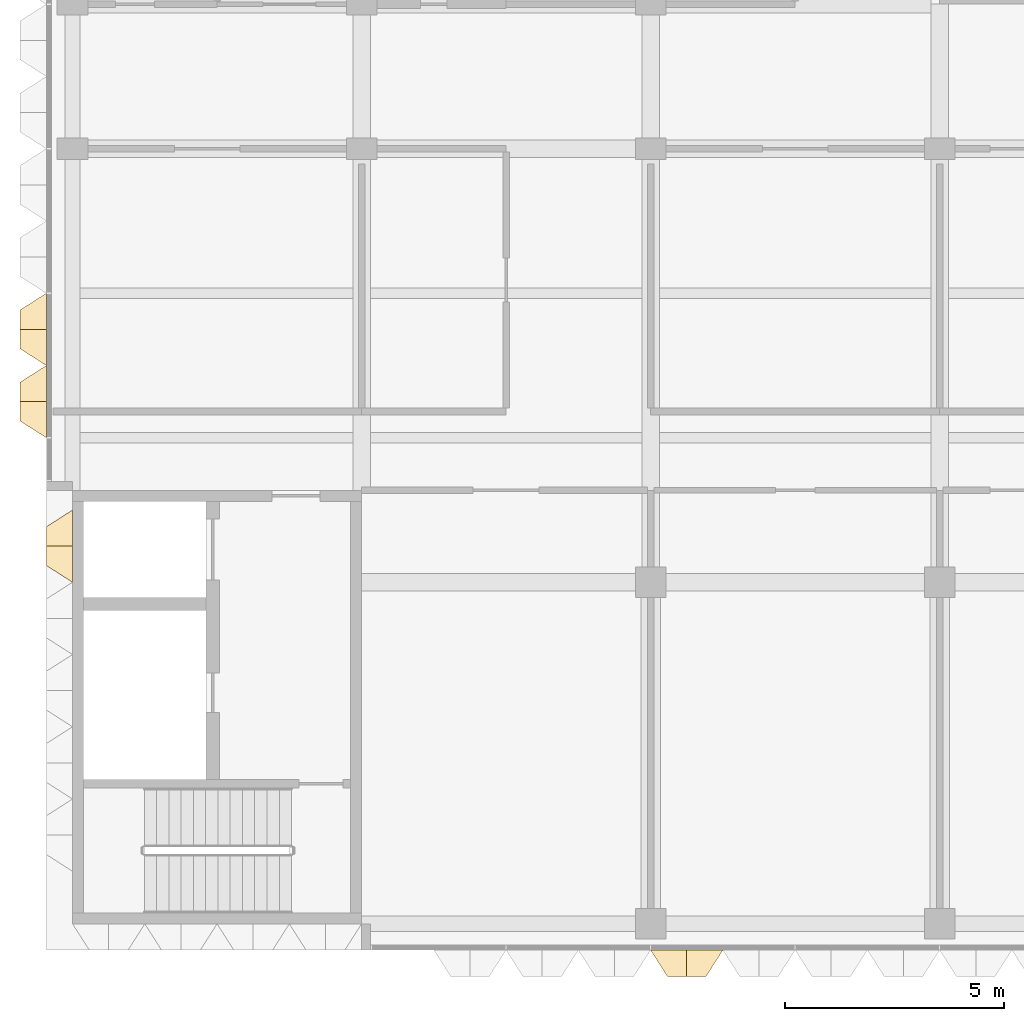
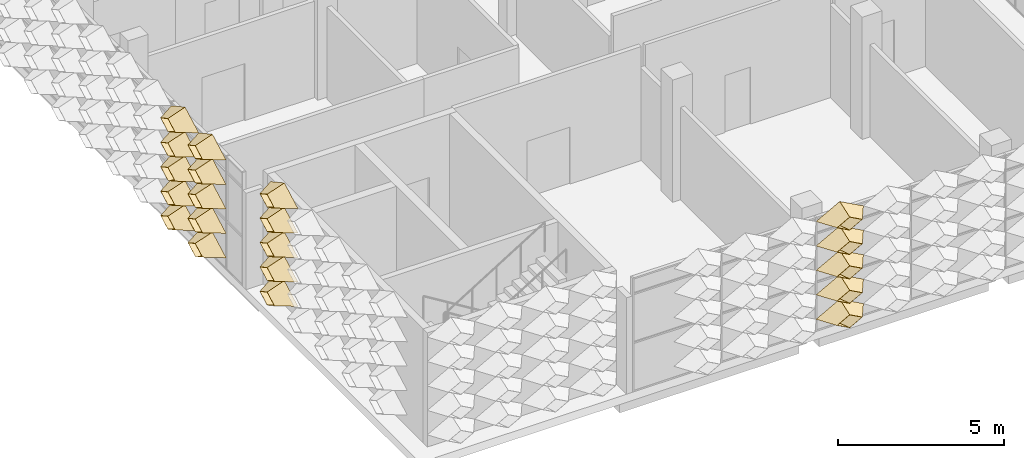
# One storey, part 14 of 28: 20 coverings.
"""IFC4 building model written with IfcOpenShell, lengths in metres."""

from ifc_helpers import new_model, entity, si_unit, direction, frame, origin, place, context, subcontext, project, spatial, material, layer, layer_set, type_object, element, save


model = new_model("IFC4")

# Units and contexts
model_context = context("Model", 3, precision=1e-05, world=origin(), true_north=direction((0.0, 1.0)))
body_context = subcontext(model_context, "Body", "Model", "MODEL_VIEW")
ifc_project = project(units=[si_unit("LENGTHUNIT", "METRE"), si_unit("AREAUNIT", "SQUARE_METRE"), si_unit("VOLUMEUNIT", "CUBIC_METRE"), si_unit("PLANEANGLEUNIT", "RADIAN"), si_unit("MASSUNIT", "GRAM", prefix="KILO")], contexts=[model_context])

# Site, building, storey
site_placement = place(None, origin())
site = spatial("IfcSite", under=ifc_project, at=site_placement, CompositionType="ELEMENT")
building_placement = place(site_placement, origin())
building = spatial("IfcBuilding", under=site, at=building_placement, Name="Lantern Court Research Institute", CompositionType="ELEMENT")
storey_placement = place(building_placement, frame((0.0, 0.0, 36.89990234375)))
storey = spatial("IfcBuildingStorey", under=building, at=storey_placement, Name="L08", CompositionType="ELEMENT", Elevation=36.89990234375)

# Coverings
ifc_material = material(Name="Anodised aluminium", Category="aluminium")
ifc_layer = layer(ifc_material, 0.01611328125)
ifc_layer_set = layer_set([ifc_layer], Name="Anodised aluminium")
covering_type = type_object("IfcCoveringType", Name="Fin cassette 1650 x 900 x 600 aluminium", PredefinedType="CLADDING", material=ifc_layer_set)
covering_1_placement = place(storey_placement, frame((66.824951171875, -8.39990234375, 0.4501953125), z_axis=(0.0, -1.0, 0.0), x_axis=(1.0, 0.0, 0.0)))
cartesian_point_1 = entity("IfcCartesianPoint", [0.824951171875, 0.0])
cartesian_point_2 = entity("IfcCartesianPoint", [0.79150390625, 0.0])
cartesian_point_3 = entity("IfcCartesianPoint", [0.44189453125, 0.0])
cartesian_point_4 = entity("IfcCartesianPoint", [0.43359375, 0.0])
element("IfcCovering", 1, at=covering_1_placement, inside=storey, type_object=covering_type, Name="Fin cassette V5S-L08 1.41", PredefinedType="CLADDING", context=body_context, shape_type="SweptSolid", body=[
    entity("IfcExtrudedAreaSolidTapered", entity("IfcArbitraryProfileDefWithVoids", "AREA", None, entity("IfcPolyline", [cartesian_point_1, entity("IfcCartesianPoint", [0.0, 0.449951171875]), entity("IfcCartesianPoint", [-0.824951171875, 0.0]), entity("IfcCartesianPoint", [0.0, -0.449951171875]), cartesian_point_1]), [entity("IfcPolyline", [cartesian_point_2, entity("IfcCartesianPoint", [0.0, 0.431884765625]), entity("IfcCartesianPoint", [-0.79150390625, 0.0]), entity("IfcCartesianPoint", [0.0, -0.431884765625]), cartesian_point_2])]), entity("IfcAxis2Placement3D", entity("IfcCartesianPoint", [0.0, 0.0, 0.0])), entity("IfcDirection", [0.0, 0.0, 1.0]), 0.60009765625, entity("IfcArbitraryProfileDefWithVoids", "AREA", None, entity("IfcPolyline", [cartesian_point_3, entity("IfcCartesianPoint", [0.0, 0.240966796875]), entity("IfcCartesianPoint", [-0.44189453125, 0.0]), entity("IfcCartesianPoint", [0.0, -0.240966796875]), cartesian_point_3]), [entity("IfcPolyline", [cartesian_point_4, entity("IfcCartesianPoint", [0.0, 0.236572265625]), entity("IfcCartesianPoint", [-0.43359375, 0.0]), entity("IfcCartesianPoint", [0.0, -0.236572265625]), cartesian_point_4])])),
])
covering_2_placement = place(storey_placement, frame((66.824951171875, -8.39990234375, 1.35009765625), z_axis=(0.0, -1.0, 0.0), x_axis=(1.0, 0.0, 0.0)))
cartesian_point_5 = entity("IfcCartesianPoint", [0.824951171875, 0.0])
cartesian_point_6 = entity("IfcCartesianPoint", [0.79150390625, 0.0])
cartesian_point_7 = entity("IfcCartesianPoint", [0.44189453125, 0.0])
cartesian_point_8 = entity("IfcCartesianPoint", [0.43359375, 0.0])
element("IfcCovering", 2, at=covering_2_placement, inside=storey, type_object=covering_type, Name="Fin cassette V5S-L08 2.41", PredefinedType="CLADDING", context=body_context, shape_type="SweptSolid", body=[
    entity("IfcExtrudedAreaSolidTapered", entity("IfcArbitraryProfileDefWithVoids", "AREA", None, entity("IfcPolyline", [cartesian_point_5, entity("IfcCartesianPoint", [0.0, 0.449951171875]), entity("IfcCartesianPoint", [-0.824951171875, 0.0]), entity("IfcCartesianPoint", [0.0, -0.449951171875]), cartesian_point_5]), [entity("IfcPolyline", [cartesian_point_6, entity("IfcCartesianPoint", [0.0, 0.431884765625]), entity("IfcCartesianPoint", [-0.79150390625, 0.0]), entity("IfcCartesianPoint", [0.0, -0.431884765625]), cartesian_point_6])]), entity("IfcAxis2Placement3D", entity("IfcCartesianPoint", [0.0, 0.0, 0.0])), entity("IfcDirection", [0.0, 0.0, 1.0]), 0.60009765625, entity("IfcArbitraryProfileDefWithVoids", "AREA", None, entity("IfcPolyline", [cartesian_point_7, entity("IfcCartesianPoint", [0.0, 0.240966796875]), entity("IfcCartesianPoint", [-0.44189453125, 0.0]), entity("IfcCartesianPoint", [0.0, -0.240966796875]), cartesian_point_7]), [entity("IfcPolyline", [cartesian_point_8, entity("IfcCartesianPoint", [0.0, 0.236572265625]), entity("IfcCartesianPoint", [-0.43359375, 0.0]), entity("IfcCartesianPoint", [0.0, -0.236572265625]), cartesian_point_8])])),
])
covering_3_placement = place(storey_placement, frame((66.824951171875, -8.39990234375, 2.25), z_axis=(0.0, -1.0, 0.0), x_axis=(1.0, 0.0, 0.0)))
cartesian_point_9 = entity("IfcCartesianPoint", [0.824951171875, 0.0])
cartesian_point_10 = entity("IfcCartesianPoint", [0.79150390625, 0.0])
cartesian_point_11 = entity("IfcCartesianPoint", [0.44189453125, 0.0])
cartesian_point_12 = entity("IfcCartesianPoint", [0.43359375, 0.0])
element("IfcCovering", 3, at=covering_3_placement, inside=storey, type_object=covering_type, Name="Fin cassette V5S-L08 3.41", PredefinedType="CLADDING", context=body_context, shape_type="SweptSolid", body=[
    entity("IfcExtrudedAreaSolidTapered", entity("IfcArbitraryProfileDefWithVoids", "AREA", None, entity("IfcPolyline", [cartesian_point_9, entity("IfcCartesianPoint", [0.0, 0.449951171875]), entity("IfcCartesianPoint", [-0.824951171875, 0.0]), entity("IfcCartesianPoint", [0.0, -0.449951171875]), cartesian_point_9]), [entity("IfcPolyline", [cartesian_point_10, entity("IfcCartesianPoint", [0.0, 0.431884765625]), entity("IfcCartesianPoint", [-0.79150390625, 0.0]), entity("IfcCartesianPoint", [0.0, -0.431884765625]), cartesian_point_10])]), entity("IfcAxis2Placement3D", entity("IfcCartesianPoint", [0.0, 0.0, 0.0])), entity("IfcDirection", [0.0, 0.0, 1.0]), 0.60009765625, entity("IfcArbitraryProfileDefWithVoids", "AREA", None, entity("IfcPolyline", [cartesian_point_11, entity("IfcCartesianPoint", [0.0, 0.240966796875]), entity("IfcCartesianPoint", [-0.44189453125, 0.0]), entity("IfcCartesianPoint", [0.0, -0.240966796875]), cartesian_point_11]), [entity("IfcPolyline", [cartesian_point_12, entity("IfcCartesianPoint", [0.0, 0.236572265625]), entity("IfcCartesianPoint", [-0.43359375, 0.0]), entity("IfcCartesianPoint", [0.0, -0.236572265625]), cartesian_point_12])])),
])
covering_4_placement = place(storey_placement, frame((66.824951171875, -8.39990234375, 3.150146484375), z_axis=(0.0, -1.0, 0.0), x_axis=(1.0, 0.0, 0.0)))
cartesian_point_13 = entity("IfcCartesianPoint", [0.824951171875, 0.0])
cartesian_point_14 = entity("IfcCartesianPoint", [0.79150390625, 0.0])
cartesian_point_15 = entity("IfcCartesianPoint", [0.44189453125, 0.0])
cartesian_point_16 = entity("IfcCartesianPoint", [0.43359375, 0.0])
element("IfcCovering", 4, at=covering_4_placement, inside=storey, type_object=covering_type, Name="Fin cassette V5S-L08 4.41", PredefinedType="CLADDING", context=body_context, shape_type="SweptSolid", body=[
    entity("IfcExtrudedAreaSolidTapered", entity("IfcArbitraryProfileDefWithVoids", "AREA", None, entity("IfcPolyline", [cartesian_point_13, entity("IfcCartesianPoint", [0.0, 0.449951171875]), entity("IfcCartesianPoint", [-0.824951171875, 0.0]), entity("IfcCartesianPoint", [0.0, -0.449951171875]), cartesian_point_13]), [entity("IfcPolyline", [cartesian_point_14, entity("IfcCartesianPoint", [0.0, 0.431884765625]), entity("IfcCartesianPoint", [-0.79150390625, 0.0]), entity("IfcCartesianPoint", [0.0, -0.431884765625]), cartesian_point_14])]), entity("IfcAxis2Placement3D", entity("IfcCartesianPoint", [0.0, 0.0, 0.0])), entity("IfcDirection", [0.0, 0.0, 1.0]), 0.60009765625, entity("IfcArbitraryProfileDefWithVoids", "AREA", None, entity("IfcPolyline", [cartesian_point_15, entity("IfcCartesianPoint", [0.0, 0.240966796875]), entity("IfcCartesianPoint", [-0.44189453125, 0.0]), entity("IfcCartesianPoint", [0.0, -0.240966796875]), cartesian_point_15]), [entity("IfcPolyline", [cartesian_point_16, entity("IfcCartesianPoint", [0.0, 0.236572265625]), entity("IfcCartesianPoint", [-0.43359375, 0.0]), entity("IfcCartesianPoint", [0.0, -0.236572265625]), cartesian_point_16])])),
])
covering_5_placement = place(storey_placement, frame((66.824951171875, -8.39990234375, 4.050048828125), z_axis=(0.0, -1.0, 0.0), x_axis=(1.0, 0.0, 0.0)))
cartesian_point_17 = entity("IfcCartesianPoint", [0.824951171875, 0.0])
cartesian_point_18 = entity("IfcCartesianPoint", [0.79150390625, 0.0])
cartesian_point_19 = entity("IfcCartesianPoint", [0.44189453125, 0.0])
cartesian_point_20 = entity("IfcCartesianPoint", [0.43359375, 0.0])
element("IfcCovering", 5, at=covering_5_placement, inside=storey, type_object=covering_type, Name="Fin cassette V5S-L08 5.41", PredefinedType="CLADDING", context=body_context, shape_type="SweptSolid", body=[
    entity("IfcExtrudedAreaSolidTapered", entity("IfcArbitraryProfileDefWithVoids", "AREA", None, entity("IfcPolyline", [cartesian_point_17, entity("IfcCartesianPoint", [0.0, 0.449951171875]), entity("IfcCartesianPoint", [-0.824951171875, 0.0]), entity("IfcCartesianPoint", [0.0, -0.449951171875]), cartesian_point_17]), [entity("IfcPolyline", [cartesian_point_18, entity("IfcCartesianPoint", [0.0, 0.431884765625]), entity("IfcCartesianPoint", [-0.79150390625, 0.0]), entity("IfcCartesianPoint", [0.0, -0.431884765625]), cartesian_point_18])]), entity("IfcAxis2Placement3D", entity("IfcCartesianPoint", [0.0, 0.0, 0.0])), entity("IfcDirection", [0.0, 0.0, 1.0]), 0.60009765625, entity("IfcArbitraryProfileDefWithVoids", "AREA", None, entity("IfcPolyline", [cartesian_point_19, entity("IfcCartesianPoint", [0.0, 0.240966796875]), entity("IfcCartesianPoint", [-0.44189453125, 0.0]), entity("IfcCartesianPoint", [0.0, -0.240966796875]), cartesian_point_19]), [entity("IfcPolyline", [cartesian_point_20, entity("IfcCartesianPoint", [0.0, 0.236572265625]), entity("IfcCartesianPoint", [-0.43359375, 0.0]), entity("IfcCartesianPoint", [0.0, -0.236572265625]), cartesian_point_20])])),
])
covering_6_placement = place(storey_placement, frame((52.800048828125, 0.824951171875, 0.4501953125), z_axis=(-1.0, 0.0, 0.0), x_axis=(0.0, -1.0, 0.0)))
cartesian_point_21 = entity("IfcCartesianPoint", [0.824951171875, 0.0])
cartesian_point_22 = entity("IfcCartesianPoint", [0.79150390625, 0.0])
cartesian_point_23 = entity("IfcCartesianPoint", [0.44189453125, 0.0])
cartesian_point_24 = entity("IfcCartesianPoint", [0.43359375, 0.0])
element("IfcCovering", 6, at=covering_6_placement, inside=storey, type_object=covering_type, Name="Fin cassette V5W-L08 1.1", PredefinedType="CLADDING", context=body_context, shape_type="SweptSolid", body=[
    entity("IfcExtrudedAreaSolidTapered", entity("IfcArbitraryProfileDefWithVoids", "AREA", None, entity("IfcPolyline", [cartesian_point_21, entity("IfcCartesianPoint", [0.0, 0.449951171875]), entity("IfcCartesianPoint", [-0.824951171875, 0.0]), entity("IfcCartesianPoint", [0.0, -0.449951171875]), cartesian_point_21]), [entity("IfcPolyline", [cartesian_point_22, entity("IfcCartesianPoint", [0.0, 0.431884765625]), entity("IfcCartesianPoint", [-0.79150390625, 0.0]), entity("IfcCartesianPoint", [0.0, -0.431884765625]), cartesian_point_22])]), entity("IfcAxis2Placement3D", entity("IfcCartesianPoint", [0.0, 0.0, 0.0])), entity("IfcDirection", [0.0, 0.0, 1.0]), 0.60009765625, entity("IfcArbitraryProfileDefWithVoids", "AREA", None, entity("IfcPolyline", [cartesian_point_23, entity("IfcCartesianPoint", [0.0, 0.240966796875]), entity("IfcCartesianPoint", [-0.44189453125, 0.0]), entity("IfcCartesianPoint", [0.0, -0.240966796875]), cartesian_point_23]), [entity("IfcPolyline", [cartesian_point_24, entity("IfcCartesianPoint", [0.0, 0.236572265625]), entity("IfcCartesianPoint", [-0.43359375, 0.0]), entity("IfcCartesianPoint", [0.0, -0.236572265625]), cartesian_point_24])])),
])
covering_7_placement = place(storey_placement, frame((52.800048828125, 0.824951171875, 1.35009765625), z_axis=(-1.0, 0.0, 0.0), x_axis=(0.0, -1.0, 0.0)))
cartesian_point_25 = entity("IfcCartesianPoint", [0.824951171875, 0.0])
cartesian_point_26 = entity("IfcCartesianPoint", [0.79150390625, 0.0])
cartesian_point_27 = entity("IfcCartesianPoint", [0.44189453125, 0.0])
cartesian_point_28 = entity("IfcCartesianPoint", [0.43359375, 0.0])
element("IfcCovering", 7, at=covering_7_placement, inside=storey, type_object=covering_type, Name="Fin cassette V5W-L08 2.1", PredefinedType="CLADDING", context=body_context, shape_type="SweptSolid", body=[
    entity("IfcExtrudedAreaSolidTapered", entity("IfcArbitraryProfileDefWithVoids", "AREA", None, entity("IfcPolyline", [cartesian_point_25, entity("IfcCartesianPoint", [0.0, 0.449951171875]), entity("IfcCartesianPoint", [-0.824951171875, 0.0]), entity("IfcCartesianPoint", [0.0, -0.449951171875]), cartesian_point_25]), [entity("IfcPolyline", [cartesian_point_26, entity("IfcCartesianPoint", [0.0, 0.431884765625]), entity("IfcCartesianPoint", [-0.79150390625, 0.0]), entity("IfcCartesianPoint", [0.0, -0.431884765625]), cartesian_point_26])]), entity("IfcAxis2Placement3D", entity("IfcCartesianPoint", [0.0, 0.0, 0.0])), entity("IfcDirection", [0.0, 0.0, 1.0]), 0.60009765625, entity("IfcArbitraryProfileDefWithVoids", "AREA", None, entity("IfcPolyline", [cartesian_point_27, entity("IfcCartesianPoint", [0.0, 0.240966796875]), entity("IfcCartesianPoint", [-0.44189453125, 0.0]), entity("IfcCartesianPoint", [0.0, -0.240966796875]), cartesian_point_27]), [entity("IfcPolyline", [cartesian_point_28, entity("IfcCartesianPoint", [0.0, 0.236572265625]), entity("IfcCartesianPoint", [-0.43359375, 0.0]), entity("IfcCartesianPoint", [0.0, -0.236572265625]), cartesian_point_28])])),
])
covering_8_placement = place(storey_placement, frame((52.800048828125, 0.824951171875, 2.25), z_axis=(-1.0, 0.0, 0.0), x_axis=(0.0, -1.0, 0.0)))
cartesian_point_29 = entity("IfcCartesianPoint", [0.824951171875, 0.0])
cartesian_point_30 = entity("IfcCartesianPoint", [0.79150390625, 0.0])
cartesian_point_31 = entity("IfcCartesianPoint", [0.44189453125, 0.0])
cartesian_point_32 = entity("IfcCartesianPoint", [0.43359375, 0.0])
element("IfcCovering", 8, at=covering_8_placement, inside=storey, type_object=covering_type, Name="Fin cassette V5W-L08 3.1", PredefinedType="CLADDING", context=body_context, shape_type="SweptSolid", body=[
    entity("IfcExtrudedAreaSolidTapered", entity("IfcArbitraryProfileDefWithVoids", "AREA", None, entity("IfcPolyline", [cartesian_point_29, entity("IfcCartesianPoint", [0.0, 0.449951171875]), entity("IfcCartesianPoint", [-0.824951171875, 0.0]), entity("IfcCartesianPoint", [0.0, -0.449951171875]), cartesian_point_29]), [entity("IfcPolyline", [cartesian_point_30, entity("IfcCartesianPoint", [0.0, 0.431884765625]), entity("IfcCartesianPoint", [-0.79150390625, 0.0]), entity("IfcCartesianPoint", [0.0, -0.431884765625]), cartesian_point_30])]), entity("IfcAxis2Placement3D", entity("IfcCartesianPoint", [0.0, 0.0, 0.0])), entity("IfcDirection", [0.0, 0.0, 1.0]), 0.60009765625, entity("IfcArbitraryProfileDefWithVoids", "AREA", None, entity("IfcPolyline", [cartesian_point_31, entity("IfcCartesianPoint", [0.0, 0.240966796875]), entity("IfcCartesianPoint", [-0.44189453125, 0.0]), entity("IfcCartesianPoint", [0.0, -0.240966796875]), cartesian_point_31]), [entity("IfcPolyline", [cartesian_point_32, entity("IfcCartesianPoint", [0.0, 0.236572265625]), entity("IfcCartesianPoint", [-0.43359375, 0.0]), entity("IfcCartesianPoint", [0.0, -0.236572265625]), cartesian_point_32])])),
])
covering_9_placement = place(storey_placement, frame((52.800048828125, 0.824951171875, 3.150146484375), z_axis=(-1.0, 0.0, 0.0), x_axis=(0.0, -1.0, 0.0)))
cartesian_point_33 = entity("IfcCartesianPoint", [0.824951171875, 0.0])
cartesian_point_34 = entity("IfcCartesianPoint", [0.79150390625, 0.0])
cartesian_point_35 = entity("IfcCartesianPoint", [0.44189453125, 0.0])
cartesian_point_36 = entity("IfcCartesianPoint", [0.43359375, 0.0])
element("IfcCovering", 9, at=covering_9_placement, inside=storey, type_object=covering_type, Name="Fin cassette V5W-L08 4.1", PredefinedType="CLADDING", context=body_context, shape_type="SweptSolid", body=[
    entity("IfcExtrudedAreaSolidTapered", entity("IfcArbitraryProfileDefWithVoids", "AREA", None, entity("IfcPolyline", [cartesian_point_33, entity("IfcCartesianPoint", [0.0, 0.449951171875]), entity("IfcCartesianPoint", [-0.824951171875, 0.0]), entity("IfcCartesianPoint", [0.0, -0.449951171875]), cartesian_point_33]), [entity("IfcPolyline", [cartesian_point_34, entity("IfcCartesianPoint", [0.0, 0.431884765625]), entity("IfcCartesianPoint", [-0.79150390625, 0.0]), entity("IfcCartesianPoint", [0.0, -0.431884765625]), cartesian_point_34])]), entity("IfcAxis2Placement3D", entity("IfcCartesianPoint", [0.0, 0.0, 0.0])), entity("IfcDirection", [0.0, 0.0, 1.0]), 0.60009765625, entity("IfcArbitraryProfileDefWithVoids", "AREA", None, entity("IfcPolyline", [cartesian_point_35, entity("IfcCartesianPoint", [0.0, 0.240966796875]), entity("IfcCartesianPoint", [-0.44189453125, 0.0]), entity("IfcCartesianPoint", [0.0, -0.240966796875]), cartesian_point_35]), [entity("IfcPolyline", [cartesian_point_36, entity("IfcCartesianPoint", [0.0, 0.236572265625]), entity("IfcCartesianPoint", [-0.43359375, 0.0]), entity("IfcCartesianPoint", [0.0, -0.236572265625]), cartesian_point_36])])),
])
covering_10_placement = place(storey_placement, frame((52.800048828125, 0.824951171875, 4.050048828125), z_axis=(-1.0, 0.0, 0.0), x_axis=(0.0, -1.0, 0.0)))
cartesian_point_37 = entity("IfcCartesianPoint", [0.824951171875, 0.0])
cartesian_point_38 = entity("IfcCartesianPoint", [0.79150390625, 0.0])
cartesian_point_39 = entity("IfcCartesianPoint", [0.44189453125, 0.0])
cartesian_point_40 = entity("IfcCartesianPoint", [0.43359375, 0.0])
element("IfcCovering", 10, at=covering_10_placement, inside=storey, type_object=covering_type, Name="Fin cassette V5W-L08 5.1", PredefinedType="CLADDING", context=body_context, shape_type="SweptSolid", body=[
    entity("IfcExtrudedAreaSolidTapered", entity("IfcArbitraryProfileDefWithVoids", "AREA", None, entity("IfcPolyline", [cartesian_point_37, entity("IfcCartesianPoint", [0.0, 0.449951171875]), entity("IfcCartesianPoint", [-0.824951171875, 0.0]), entity("IfcCartesianPoint", [0.0, -0.449951171875]), cartesian_point_37]), [entity("IfcPolyline", [cartesian_point_38, entity("IfcCartesianPoint", [0.0, 0.431884765625]), entity("IfcCartesianPoint", [-0.79150390625, 0.0]), entity("IfcCartesianPoint", [0.0, -0.431884765625]), cartesian_point_38])]), entity("IfcAxis2Placement3D", entity("IfcCartesianPoint", [0.0, 0.0, 0.0])), entity("IfcDirection", [0.0, 0.0, 1.0]), 0.60009765625, entity("IfcArbitraryProfileDefWithVoids", "AREA", None, entity("IfcPolyline", [cartesian_point_39, entity("IfcCartesianPoint", [0.0, 0.240966796875]), entity("IfcCartesianPoint", [-0.44189453125, 0.0]), entity("IfcCartesianPoint", [0.0, -0.240966796875]), cartesian_point_39]), [entity("IfcPolyline", [cartesian_point_40, entity("IfcCartesianPoint", [0.0, 0.236572265625]), entity("IfcCartesianPoint", [-0.43359375, 0.0]), entity("IfcCartesianPoint", [0.0, -0.236572265625]), cartesian_point_40])])),
])
covering_11_placement = place(storey_placement, frame((52.199951171875, 4.125, 0.4501953125), z_axis=(-1.0, 0.0, 0.0), x_axis=(0.0, -1.0, 0.0)))
cartesian_point_41 = entity("IfcCartesianPoint", [0.824951171875, 0.0])
cartesian_point_42 = entity("IfcCartesianPoint", [0.79150390625, 0.0])
cartesian_point_43 = entity("IfcCartesianPoint", [0.44189453125, 0.0])
cartesian_point_44 = entity("IfcCartesianPoint", [0.43359375, 0.0])
element("IfcCovering", 11, at=covering_11_placement, inside=storey, type_object=covering_type, Name="Fin cassette V5W-L08 1.3", PredefinedType="CLADDING", context=body_context, shape_type="SweptSolid", body=[
    entity("IfcExtrudedAreaSolidTapered", entity("IfcArbitraryProfileDefWithVoids", "AREA", None, entity("IfcPolyline", [cartesian_point_41, entity("IfcCartesianPoint", [0.0, 0.449951171875]), entity("IfcCartesianPoint", [-0.824951171875, 0.0]), entity("IfcCartesianPoint", [0.0, -0.449951171875]), cartesian_point_41]), [entity("IfcPolyline", [cartesian_point_42, entity("IfcCartesianPoint", [0.0, 0.431884765625]), entity("IfcCartesianPoint", [-0.79150390625, 0.0]), entity("IfcCartesianPoint", [0.0, -0.431884765625]), cartesian_point_42])]), entity("IfcAxis2Placement3D", entity("IfcCartesianPoint", [0.0, 0.0, 0.0])), entity("IfcDirection", [0.0, 0.0, 1.0]), 0.60009765625, entity("IfcArbitraryProfileDefWithVoids", "AREA", None, entity("IfcPolyline", [cartesian_point_43, entity("IfcCartesianPoint", [0.0, 0.240966796875]), entity("IfcCartesianPoint", [-0.44189453125, 0.0]), entity("IfcCartesianPoint", [0.0, -0.240966796875]), cartesian_point_43]), [entity("IfcPolyline", [cartesian_point_44, entity("IfcCartesianPoint", [0.0, 0.236572265625]), entity("IfcCartesianPoint", [-0.43359375, 0.0]), entity("IfcCartesianPoint", [0.0, -0.236572265625]), cartesian_point_44])])),
])
covering_12_placement = place(storey_placement, frame((52.199951171875, 5.77490234375, 0.4501953125), z_axis=(-1.0, 0.0, 0.0), x_axis=(0.0, -1.0, 0.0)))
cartesian_point_45 = entity("IfcCartesianPoint", [0.824951171875, 0.0])
cartesian_point_46 = entity("IfcCartesianPoint", [0.79150390625, 0.0])
cartesian_point_47 = entity("IfcCartesianPoint", [0.44189453125, 0.0])
cartesian_point_48 = entity("IfcCartesianPoint", [0.43359375, 0.0])
element("IfcCovering", 12, at=covering_12_placement, inside=storey, type_object=covering_type, Name="Fin cassette V5W-L08 1.4", PredefinedType="CLADDING", context=body_context, shape_type="SweptSolid", body=[
    entity("IfcExtrudedAreaSolidTapered", entity("IfcArbitraryProfileDefWithVoids", "AREA", None, entity("IfcPolyline", [cartesian_point_45, entity("IfcCartesianPoint", [0.0, 0.449951171875]), entity("IfcCartesianPoint", [-0.824951171875, 0.0]), entity("IfcCartesianPoint", [0.0, -0.449951171875]), cartesian_point_45]), [entity("IfcPolyline", [cartesian_point_46, entity("IfcCartesianPoint", [0.0, 0.431884765625]), entity("IfcCartesianPoint", [-0.79150390625, 0.0]), entity("IfcCartesianPoint", [0.0, -0.431884765625]), cartesian_point_46])]), entity("IfcAxis2Placement3D", entity("IfcCartesianPoint", [0.0, 0.0, 0.0])), entity("IfcDirection", [0.0, 0.0, 1.0]), 0.60009765625, entity("IfcArbitraryProfileDefWithVoids", "AREA", None, entity("IfcPolyline", [cartesian_point_47, entity("IfcCartesianPoint", [0.0, 0.240966796875]), entity("IfcCartesianPoint", [-0.44189453125, 0.0]), entity("IfcCartesianPoint", [0.0, -0.240966796875]), cartesian_point_47]), [entity("IfcPolyline", [cartesian_point_48, entity("IfcCartesianPoint", [0.0, 0.236572265625]), entity("IfcCartesianPoint", [-0.43359375, 0.0]), entity("IfcCartesianPoint", [0.0, -0.236572265625]), cartesian_point_48])])),
])
covering_13_placement = place(storey_placement, frame((52.199951171875, 4.125, 1.35009765625), z_axis=(-1.0, 0.0, 0.0), x_axis=(0.0, -1.0, 0.0)))
cartesian_point_49 = entity("IfcCartesianPoint", [0.824951171875, 0.0])
cartesian_point_50 = entity("IfcCartesianPoint", [0.79150390625, 0.0])
cartesian_point_51 = entity("IfcCartesianPoint", [0.44189453125, 0.0])
cartesian_point_52 = entity("IfcCartesianPoint", [0.43359375, 0.0])
element("IfcCovering", 13, at=covering_13_placement, inside=storey, type_object=covering_type, Name="Fin cassette V5W-L08 2.3", PredefinedType="CLADDING", context=body_context, shape_type="SweptSolid", body=[
    entity("IfcExtrudedAreaSolidTapered", entity("IfcArbitraryProfileDefWithVoids", "AREA", None, entity("IfcPolyline", [cartesian_point_49, entity("IfcCartesianPoint", [0.0, 0.449951171875]), entity("IfcCartesianPoint", [-0.824951171875, 0.0]), entity("IfcCartesianPoint", [0.0, -0.449951171875]), cartesian_point_49]), [entity("IfcPolyline", [cartesian_point_50, entity("IfcCartesianPoint", [0.0, 0.431884765625]), entity("IfcCartesianPoint", [-0.79150390625, 0.0]), entity("IfcCartesianPoint", [0.0, -0.431884765625]), cartesian_point_50])]), entity("IfcAxis2Placement3D", entity("IfcCartesianPoint", [0.0, 0.0, 0.0])), entity("IfcDirection", [0.0, 0.0, 1.0]), 0.60009765625, entity("IfcArbitraryProfileDefWithVoids", "AREA", None, entity("IfcPolyline", [cartesian_point_51, entity("IfcCartesianPoint", [0.0, 0.240966796875]), entity("IfcCartesianPoint", [-0.44189453125, 0.0]), entity("IfcCartesianPoint", [0.0, -0.240966796875]), cartesian_point_51]), [entity("IfcPolyline", [cartesian_point_52, entity("IfcCartesianPoint", [0.0, 0.236572265625]), entity("IfcCartesianPoint", [-0.43359375, 0.0]), entity("IfcCartesianPoint", [0.0, -0.236572265625]), cartesian_point_52])])),
])
covering_14_placement = place(storey_placement, frame((52.199951171875, 5.77490234375, 1.35009765625), z_axis=(-1.0, 0.0, 0.0), x_axis=(0.0, -1.0, 0.0)))
cartesian_point_53 = entity("IfcCartesianPoint", [0.824951171875, 0.0])
cartesian_point_54 = entity("IfcCartesianPoint", [0.79150390625, 0.0])
cartesian_point_55 = entity("IfcCartesianPoint", [0.44189453125, 0.0])
cartesian_point_56 = entity("IfcCartesianPoint", [0.43359375, 0.0])
element("IfcCovering", 14, at=covering_14_placement, inside=storey, type_object=covering_type, Name="Fin cassette V5W-L08 2.4", PredefinedType="CLADDING", context=body_context, shape_type="SweptSolid", body=[
    entity("IfcExtrudedAreaSolidTapered", entity("IfcArbitraryProfileDefWithVoids", "AREA", None, entity("IfcPolyline", [cartesian_point_53, entity("IfcCartesianPoint", [0.0, 0.449951171875]), entity("IfcCartesianPoint", [-0.824951171875, 0.0]), entity("IfcCartesianPoint", [0.0, -0.449951171875]), cartesian_point_53]), [entity("IfcPolyline", [cartesian_point_54, entity("IfcCartesianPoint", [0.0, 0.431884765625]), entity("IfcCartesianPoint", [-0.79150390625, 0.0]), entity("IfcCartesianPoint", [0.0, -0.431884765625]), cartesian_point_54])]), entity("IfcAxis2Placement3D", entity("IfcCartesianPoint", [0.0, 0.0, 0.0])), entity("IfcDirection", [0.0, 0.0, 1.0]), 0.60009765625, entity("IfcArbitraryProfileDefWithVoids", "AREA", None, entity("IfcPolyline", [cartesian_point_55, entity("IfcCartesianPoint", [0.0, 0.240966796875]), entity("IfcCartesianPoint", [-0.44189453125, 0.0]), entity("IfcCartesianPoint", [0.0, -0.240966796875]), cartesian_point_55]), [entity("IfcPolyline", [cartesian_point_56, entity("IfcCartesianPoint", [0.0, 0.236572265625]), entity("IfcCartesianPoint", [-0.43359375, 0.0]), entity("IfcCartesianPoint", [0.0, -0.236572265625]), cartesian_point_56])])),
])
covering_15_placement = place(storey_placement, frame((52.199951171875, 4.125, 2.25), z_axis=(-1.0, 0.0, 0.0), x_axis=(0.0, -1.0, 0.0)))
cartesian_point_57 = entity("IfcCartesianPoint", [0.824951171875, 0.0])
cartesian_point_58 = entity("IfcCartesianPoint", [0.79150390625, 0.0])
cartesian_point_59 = entity("IfcCartesianPoint", [0.44189453125, 0.0])
cartesian_point_60 = entity("IfcCartesianPoint", [0.43359375, 0.0])
element("IfcCovering", 15, at=covering_15_placement, inside=storey, type_object=covering_type, Name="Fin cassette V5W-L08 3.3", PredefinedType="CLADDING", context=body_context, shape_type="SweptSolid", body=[
    entity("IfcExtrudedAreaSolidTapered", entity("IfcArbitraryProfileDefWithVoids", "AREA", None, entity("IfcPolyline", [cartesian_point_57, entity("IfcCartesianPoint", [0.0, 0.449951171875]), entity("IfcCartesianPoint", [-0.824951171875, 0.0]), entity("IfcCartesianPoint", [0.0, -0.449951171875]), cartesian_point_57]), [entity("IfcPolyline", [cartesian_point_58, entity("IfcCartesianPoint", [0.0, 0.431884765625]), entity("IfcCartesianPoint", [-0.79150390625, 0.0]), entity("IfcCartesianPoint", [0.0, -0.431884765625]), cartesian_point_58])]), entity("IfcAxis2Placement3D", entity("IfcCartesianPoint", [0.0, 0.0, 0.0])), entity("IfcDirection", [0.0, 0.0, 1.0]), 0.60009765625, entity("IfcArbitraryProfileDefWithVoids", "AREA", None, entity("IfcPolyline", [cartesian_point_59, entity("IfcCartesianPoint", [0.0, 0.240966796875]), entity("IfcCartesianPoint", [-0.44189453125, 0.0]), entity("IfcCartesianPoint", [0.0, -0.240966796875]), cartesian_point_59]), [entity("IfcPolyline", [cartesian_point_60, entity("IfcCartesianPoint", [0.0, 0.236572265625]), entity("IfcCartesianPoint", [-0.43359375, 0.0]), entity("IfcCartesianPoint", [0.0, -0.236572265625]), cartesian_point_60])])),
])
covering_16_placement = place(storey_placement, frame((52.199951171875, 5.77490234375, 2.25), z_axis=(-1.0, 0.0, 0.0), x_axis=(0.0, -1.0, 0.0)))
cartesian_point_61 = entity("IfcCartesianPoint", [0.824951171875, 0.0])
cartesian_point_62 = entity("IfcCartesianPoint", [0.79150390625, 0.0])
cartesian_point_63 = entity("IfcCartesianPoint", [0.44189453125, 0.0])
cartesian_point_64 = entity("IfcCartesianPoint", [0.43359375, 0.0])
element("IfcCovering", 16, at=covering_16_placement, inside=storey, type_object=covering_type, Name="Fin cassette V5W-L08 3.4", PredefinedType="CLADDING", context=body_context, shape_type="SweptSolid", body=[
    entity("IfcExtrudedAreaSolidTapered", entity("IfcArbitraryProfileDefWithVoids", "AREA", None, entity("IfcPolyline", [cartesian_point_61, entity("IfcCartesianPoint", [0.0, 0.449951171875]), entity("IfcCartesianPoint", [-0.824951171875, 0.0]), entity("IfcCartesianPoint", [0.0, -0.449951171875]), cartesian_point_61]), [entity("IfcPolyline", [cartesian_point_62, entity("IfcCartesianPoint", [0.0, 0.431884765625]), entity("IfcCartesianPoint", [-0.79150390625, 0.0]), entity("IfcCartesianPoint", [0.0, -0.431884765625]), cartesian_point_62])]), entity("IfcAxis2Placement3D", entity("IfcCartesianPoint", [0.0, 0.0, 0.0])), entity("IfcDirection", [0.0, 0.0, 1.0]), 0.60009765625, entity("IfcArbitraryProfileDefWithVoids", "AREA", None, entity("IfcPolyline", [cartesian_point_63, entity("IfcCartesianPoint", [0.0, 0.240966796875]), entity("IfcCartesianPoint", [-0.44189453125, 0.0]), entity("IfcCartesianPoint", [0.0, -0.240966796875]), cartesian_point_63]), [entity("IfcPolyline", [cartesian_point_64, entity("IfcCartesianPoint", [0.0, 0.236572265625]), entity("IfcCartesianPoint", [-0.43359375, 0.0]), entity("IfcCartesianPoint", [0.0, -0.236572265625]), cartesian_point_64])])),
])
covering_17_placement = place(storey_placement, frame((52.199951171875, 4.125, 3.150146484375), z_axis=(-1.0, 0.0, 0.0), x_axis=(0.0, -1.0, 0.0)))
cartesian_point_65 = entity("IfcCartesianPoint", [0.824951171875, 0.0])
cartesian_point_66 = entity("IfcCartesianPoint", [0.79150390625, 0.0])
cartesian_point_67 = entity("IfcCartesianPoint", [0.44189453125, 0.0])
cartesian_point_68 = entity("IfcCartesianPoint", [0.43359375, 0.0])
element("IfcCovering", 17, at=covering_17_placement, inside=storey, type_object=covering_type, Name="Fin cassette V5W-L08 4.3", PredefinedType="CLADDING", context=body_context, shape_type="SweptSolid", body=[
    entity("IfcExtrudedAreaSolidTapered", entity("IfcArbitraryProfileDefWithVoids", "AREA", None, entity("IfcPolyline", [cartesian_point_65, entity("IfcCartesianPoint", [0.0, 0.449951171875]), entity("IfcCartesianPoint", [-0.824951171875, 0.0]), entity("IfcCartesianPoint", [0.0, -0.449951171875]), cartesian_point_65]), [entity("IfcPolyline", [cartesian_point_66, entity("IfcCartesianPoint", [0.0, 0.431884765625]), entity("IfcCartesianPoint", [-0.79150390625, 0.0]), entity("IfcCartesianPoint", [0.0, -0.431884765625]), cartesian_point_66])]), entity("IfcAxis2Placement3D", entity("IfcCartesianPoint", [0.0, 0.0, 0.0])), entity("IfcDirection", [0.0, 0.0, 1.0]), 0.60009765625, entity("IfcArbitraryProfileDefWithVoids", "AREA", None, entity("IfcPolyline", [cartesian_point_67, entity("IfcCartesianPoint", [0.0, 0.240966796875]), entity("IfcCartesianPoint", [-0.44189453125, 0.0]), entity("IfcCartesianPoint", [0.0, -0.240966796875]), cartesian_point_67]), [entity("IfcPolyline", [cartesian_point_68, entity("IfcCartesianPoint", [0.0, 0.236572265625]), entity("IfcCartesianPoint", [-0.43359375, 0.0]), entity("IfcCartesianPoint", [0.0, -0.236572265625]), cartesian_point_68])])),
])
covering_18_placement = place(storey_placement, frame((52.199951171875, 5.77490234375, 3.150146484375), z_axis=(-1.0, 0.0, 0.0), x_axis=(0.0, -1.0, 0.0)))
cartesian_point_69 = entity("IfcCartesianPoint", [0.824951171875, 0.0])
cartesian_point_70 = entity("IfcCartesianPoint", [0.79150390625, 0.0])
cartesian_point_71 = entity("IfcCartesianPoint", [0.44189453125, 0.0])
cartesian_point_72 = entity("IfcCartesianPoint", [0.43359375, 0.0])
element("IfcCovering", 18, at=covering_18_placement, inside=storey, type_object=covering_type, Name="Fin cassette V5W-L08 4.4", PredefinedType="CLADDING", context=body_context, shape_type="SweptSolid", body=[
    entity("IfcExtrudedAreaSolidTapered", entity("IfcArbitraryProfileDefWithVoids", "AREA", None, entity("IfcPolyline", [cartesian_point_69, entity("IfcCartesianPoint", [0.0, 0.449951171875]), entity("IfcCartesianPoint", [-0.824951171875, 0.0]), entity("IfcCartesianPoint", [0.0, -0.449951171875]), cartesian_point_69]), [entity("IfcPolyline", [cartesian_point_70, entity("IfcCartesianPoint", [0.0, 0.431884765625]), entity("IfcCartesianPoint", [-0.79150390625, 0.0]), entity("IfcCartesianPoint", [0.0, -0.431884765625]), cartesian_point_70])]), entity("IfcAxis2Placement3D", entity("IfcCartesianPoint", [0.0, 0.0, 0.0])), entity("IfcDirection", [0.0, 0.0, 1.0]), 0.60009765625, entity("IfcArbitraryProfileDefWithVoids", "AREA", None, entity("IfcPolyline", [cartesian_point_71, entity("IfcCartesianPoint", [0.0, 0.240966796875]), entity("IfcCartesianPoint", [-0.44189453125, 0.0]), entity("IfcCartesianPoint", [0.0, -0.240966796875]), cartesian_point_71]), [entity("IfcPolyline", [cartesian_point_72, entity("IfcCartesianPoint", [0.0, 0.236572265625]), entity("IfcCartesianPoint", [-0.43359375, 0.0]), entity("IfcCartesianPoint", [0.0, -0.236572265625]), cartesian_point_72])])),
])
covering_19_placement = place(storey_placement, frame((52.199951171875, 4.125, 4.050048828125), z_axis=(-1.0, 0.0, 0.0), x_axis=(0.0, -1.0, 0.0)))
cartesian_point_73 = entity("IfcCartesianPoint", [0.824951171875, 0.0])
cartesian_point_74 = entity("IfcCartesianPoint", [0.79150390625, 0.0])
cartesian_point_75 = entity("IfcCartesianPoint", [0.44189453125, 0.0])
cartesian_point_76 = entity("IfcCartesianPoint", [0.43359375, 0.0])
element("IfcCovering", 19, at=covering_19_placement, inside=storey, type_object=covering_type, Name="Fin cassette V5W-L08 5.3", PredefinedType="CLADDING", context=body_context, shape_type="SweptSolid", body=[
    entity("IfcExtrudedAreaSolidTapered", entity("IfcArbitraryProfileDefWithVoids", "AREA", None, entity("IfcPolyline", [cartesian_point_73, entity("IfcCartesianPoint", [0.0, 0.449951171875]), entity("IfcCartesianPoint", [-0.824951171875, 0.0]), entity("IfcCartesianPoint", [0.0, -0.449951171875]), cartesian_point_73]), [entity("IfcPolyline", [cartesian_point_74, entity("IfcCartesianPoint", [0.0, 0.431884765625]), entity("IfcCartesianPoint", [-0.79150390625, 0.0]), entity("IfcCartesianPoint", [0.0, -0.431884765625]), cartesian_point_74])]), entity("IfcAxis2Placement3D", entity("IfcCartesianPoint", [0.0, 0.0, 0.0])), entity("IfcDirection", [0.0, 0.0, 1.0]), 0.60009765625, entity("IfcArbitraryProfileDefWithVoids", "AREA", None, entity("IfcPolyline", [cartesian_point_75, entity("IfcCartesianPoint", [0.0, 0.240966796875]), entity("IfcCartesianPoint", [-0.44189453125, 0.0]), entity("IfcCartesianPoint", [0.0, -0.240966796875]), cartesian_point_75]), [entity("IfcPolyline", [cartesian_point_76, entity("IfcCartesianPoint", [0.0, 0.236572265625]), entity("IfcCartesianPoint", [-0.43359375, 0.0]), entity("IfcCartesianPoint", [0.0, -0.236572265625]), cartesian_point_76])])),
])
covering_20_placement = place(storey_placement, frame((52.199951171875, 5.77490234375, 4.050048828125), z_axis=(-1.0, 0.0, 0.0), x_axis=(0.0, -1.0, 0.0)))
cartesian_point_77 = entity("IfcCartesianPoint", [0.824951171875, 0.0])
cartesian_point_78 = entity("IfcCartesianPoint", [0.79150390625, 0.0])
cartesian_point_79 = entity("IfcCartesianPoint", [0.44189453125, 0.0])
cartesian_point_80 = entity("IfcCartesianPoint", [0.43359375, 0.0])
element("IfcCovering", 20, at=covering_20_placement, inside=storey, type_object=covering_type, Name="Fin cassette V5W-L08 5.4", PredefinedType="CLADDING", context=body_context, shape_type="SweptSolid", body=[
    entity("IfcExtrudedAreaSolidTapered", entity("IfcArbitraryProfileDefWithVoids", "AREA", None, entity("IfcPolyline", [cartesian_point_77, entity("IfcCartesianPoint", [0.0, 0.449951171875]), entity("IfcCartesianPoint", [-0.824951171875, 0.0]), entity("IfcCartesianPoint", [0.0, -0.449951171875]), cartesian_point_77]), [entity("IfcPolyline", [cartesian_point_78, entity("IfcCartesianPoint", [0.0, 0.431884765625]), entity("IfcCartesianPoint", [-0.79150390625, 0.0]), entity("IfcCartesianPoint", [0.0, -0.431884765625]), cartesian_point_78])]), entity("IfcAxis2Placement3D", entity("IfcCartesianPoint", [0.0, 0.0, 0.0])), entity("IfcDirection", [0.0, 0.0, 1.0]), 0.60009765625, entity("IfcArbitraryProfileDefWithVoids", "AREA", None, entity("IfcPolyline", [cartesian_point_79, entity("IfcCartesianPoint", [0.0, 0.240966796875]), entity("IfcCartesianPoint", [-0.44189453125, 0.0]), entity("IfcCartesianPoint", [0.0, -0.240966796875]), cartesian_point_79]), [entity("IfcPolyline", [cartesian_point_80, entity("IfcCartesianPoint", [0.0, 0.236572265625]), entity("IfcCartesianPoint", [-0.43359375, 0.0]), entity("IfcCartesianPoint", [0.0, -0.236572265625]), cartesian_point_80])])),
])

save(model, "model.ifc")
